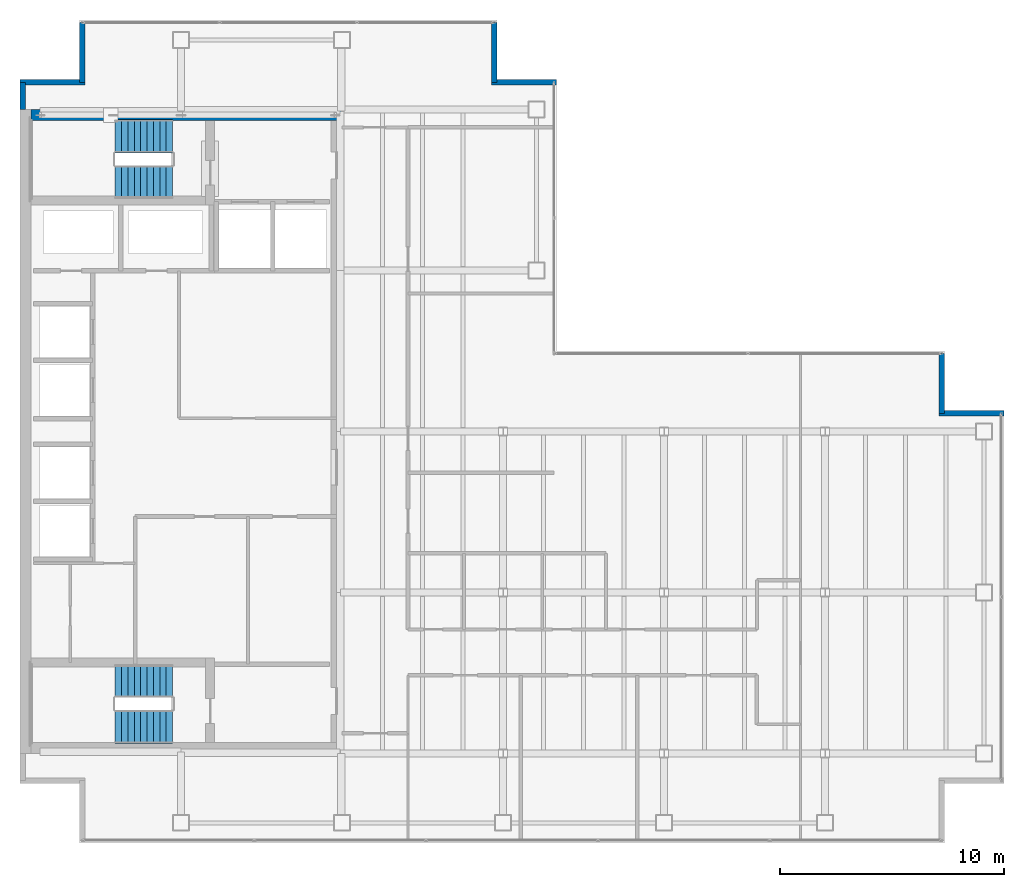
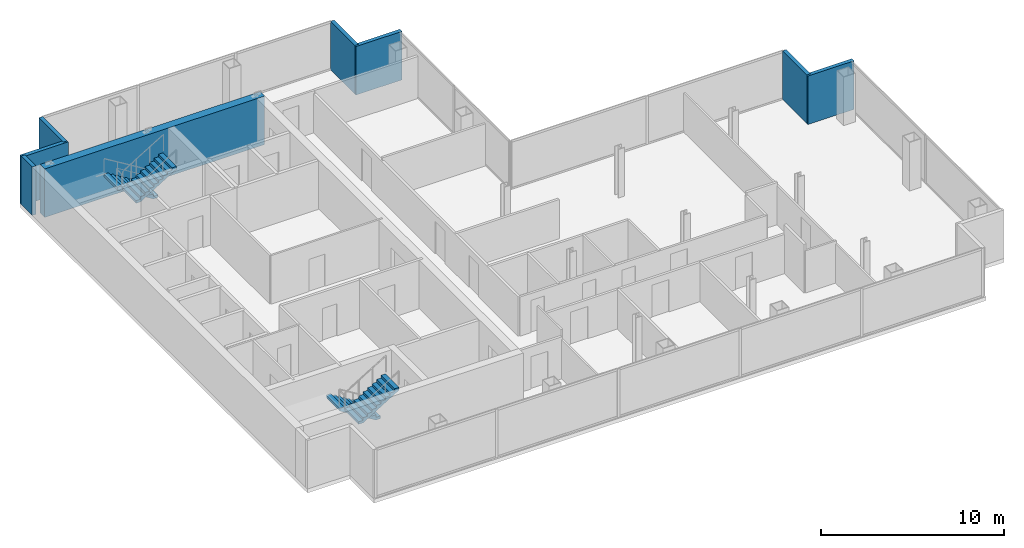
# One storey, part 22 of 23: 8 walls, 4 stair flights, 2 elements without a shape of their own.
"""IFC4 building model written with IfcOpenShell, lengths in metres."""

from ifc_helpers import new_model, si_unit, direction, frame, frame_2d, origin, place, context, subcontext, project, spatial, polyline, rectangle, outline, extrude, material, layer, layer_set, type_object, element, aggregate, save


model = new_model("IFC4")

# Units and contexts
model_context = context("Model", 3, precision=1e-05, world=origin(), true_north=direction((0.0, 1.0)))
body_context = subcontext(model_context, "Body", "Model", "MODEL_VIEW")
ifc_project = project(units=[si_unit("LENGTHUNIT", "METRE"), si_unit("AREAUNIT", "SQUARE_METRE"), si_unit("VOLUMEUNIT", "CUBIC_METRE"), si_unit("PLANEANGLEUNIT", "RADIAN"), si_unit("MASSUNIT", "GRAM", prefix="KILO")], contexts=[model_context])

# Site, building, storey
site_placement = place(None, origin())
site = spatial("IfcSite", under=ifc_project, at=site_placement, CompositionType="ELEMENT")
building_placement = place(site_placement, origin())
building = spatial("IfcBuilding", under=site, at=building_placement, Name="Cobrela Telecom Tower", CompositionType="ELEMENT")
storey_placement = place(building_placement, frame((0.0, 0.0, 222.25)))
storey = spatial("IfcBuildingStorey", under=building, at=storey_placement, Name="L57", CompositionType="ELEMENT", Elevation=222.25)

# Walls
ifc_material = material(Name="Concrete C40/50", Category="concrete")
ifc_layer_1 = layer(ifc_material, 0.5)
ifc_layer_set_1 = layer_set([ifc_layer_1], Name="Concrete C40/50")
wall_type_1 = type_object("IfcWallType", Name="WALL-CORE-C40-500", PredefinedType="SHEAR", material=ifc_layer_set_1)
wall_1_placement = place(storey_placement, frame((0.5, 35.75, 0.0), z_axis=(0.0, 0.0, 1.0), x_axis=(1.0, 0.0, 0.0)))
element("IfcWall", 1, at=wall_1_placement, inside=storey, type_object=wall_type_1, Name="L57 North Core Shear Wall", PredefinedType="SHEAR", context=body_context, shape_type="SweptSolid", body=[
    extrude(rectangle(XDim=13.89990234375, YDim=0.5, at=frame_2d((6.949951171875, 0.0))), origin(), (0.0, 0.0, 1.0), 3.239990234375),
])
ifc_layer_2 = layer(ifc_material, 0.239990234375)
ifc_layer_set_2 = layer_set([ifc_layer_2], Name="Concrete C40/50")
wall_type_2 = type_object("IfcWallType", Name="WALL-EXT-300", PredefinedType="STANDARD", material=ifc_layer_set_2)
wall_2_placement = place(storey_placement, frame((0.1201171875, 36.0, 0.0), z_axis=(0.0, 0.0, 1.0), x_axis=(0.0, 1.0, 0.0)))
element("IfcWall", 2, at=wall_2_placement, inside=storey, type_object=wall_type_2, Name="L57 Insulated Facade Wall 04", PredefinedType="STANDARD", context=body_context, shape_type="SweptSolid", body=[
    extrude(rectangle(XDim=1.2099609375, YDim=0.239990234375, at=frame_2d((0.60498046875, 0.0))), origin(), (0.0, 0.0, 1.0), 3.239990234375),
])
wall_3_placement = place(storey_placement, frame((0.0, 37.2099609375, 0.0), z_axis=(0.0, 0.0, 1.0), x_axis=(1.0, 0.0, 0.0)))
element("IfcWall", 3, at=wall_3_placement, inside=storey, type_object=wall_type_2, Name="L57 Insulated Facade Wall 05", PredefinedType="STANDARD", context=body_context, shape_type="SweptSolid", body=[
    extrude(rectangle(XDim=2.909912109375, YDim=0.239990234375, at=frame_2d((1.455078125, 0.0))), origin(), (0.0, 0.0, 1.0), 3.239990234375),
])
for number, where, z_axis, x_axis, name in (
    (4, (2.7900390625, 37.2099609375, 0.0), (0.0, 0.0, 1.0), (0.0, 1.0, 0.0), "L57 Insulated Facade Wall 06"),
    (5, (21.2099609375, 39.8798828125, 0.0), (0.0, 0.0, 1.0), (0.0, -1.0, 0.0), "L57 Insulated Facade Wall 08"),
):
    element("IfcWall", number, at=place(storey_placement, frame(where, z_axis=z_axis, x_axis=x_axis)), inside=storey, type_object=wall_type_2, Name=name, PredefinedType="STANDARD", context=body_context, shape_type="SweptSolid", body=[
        extrude(rectangle(XDim=2.669921875, YDim=0.239990234375, at=frame_2d((1.3349609375, 0.0))), origin(), (0.0, 0.0, 1.0), 3.239990234375),
    ])
wall_4_placement = place(storey_placement, frame((21.090087890625, 37.2099609375, 0.0), z_axis=(0.0, 0.0, 1.0), x_axis=(1.0, 0.0, 0.0)))
element("IfcWall", 6, at=wall_4_placement, inside=storey, type_object=wall_type_2, Name="L57 Insulated Facade Wall 09", PredefinedType="STANDARD", context=body_context, shape_type="SweptSolid", body=[
    extrude(rectangle(XDim=2.909912109375, YDim=0.239990234375, at=frame_2d((1.455078125, 0.0))), origin(), (0.0, 0.0, 1.0), 3.239990234375),
])
wall_5_placement = place(storey_placement, frame((41.2099609375, 25.080078125, 0.0), z_axis=(0.0, 0.0, 1.0), x_axis=(0.0, -1.0, 0.0)))
element("IfcWall", 7, at=wall_5_placement, inside=storey, type_object=wall_type_2, Name="L57 Insulated Facade Wall 12", PredefinedType="STANDARD", context=body_context, shape_type="SweptSolid", body=[
    extrude(rectangle(XDim=2.670166015625, YDim=0.239990234375, at=frame_2d((1.3349609375, 0.0))), origin(), (0.0, 0.0, 1.0), 3.239990234375),
])
wall_6_placement = place(storey_placement, frame((41.090087890625, 22.409912109375, 0.0), z_axis=(0.0, 0.0, 1.0), x_axis=(1.0, 0.0, 0.0)))
element("IfcWall", 8, at=wall_6_placement, inside=storey, type_object=wall_type_2, Name="L57 Insulated Facade Wall 13", PredefinedType="STANDARD", context=body_context, shape_type="SweptSolid", body=[
    extrude(rectangle(XDim=2.909912109375, YDim=0.239990234375, at=frame_2d((1.455078125, 0.0))), origin(), (0.0, 0.0, 1.0), 3.239990234375),
])

# Stair, stair flights
stair_type = type_object("IfcStairType", Name="STAIR-CORE", PredefinedType="HALF_TURN_STAIR", material=ifc_material)
stair_1_placement = place(storey_placement, origin())
stair_1 = element("IfcStair", 9, at=stair_1_placement, inside=storey, type_object=stair_type, Name="L57 Smokeproof Exit Stair ST1", PredefinedType="HALF_TURN_STAIR")
stair_flight_type = type_object("IfcStairFlightType", Name="FLIGHT-CORE", PredefinedType="STRAIGHT", material=ifc_material)
stair_flight_1_placement = place(storey_placement, frame((6.820068359375, 34.800048828125, 0.0), z_axis=(0.0, 0.0, 1.0), x_axis=(-1.0, 0.0, 0.0)))
stair_flight_1 = element("IfcStairFlight", 10, at=stair_flight_1_placement, type_object=stair_flight_type, Name="ST1 flight 1", NumberOfRisers=10, NumberOfTreads=9, PredefinedType="STRAIGHT", RiserHeight=0.175, TreadLength=0.285, context=body_context, shape_type="SweptSolid", body=[
    extrude(outline(polyline([(0.0, 0.0), (0.0, 0.175048828125), (0.284912109375, 0.175048828125), (0.284912109375, 0.35009765625), (0.570068359375, 0.35009765625), (0.570068359375, 0.52490234375), (0.85498046875, 0.52490234375), (0.85498046875, 0.699951171875), (1.139892578125, 0.699951171875), (1.139892578125, 0.875), (1.425048828125, 0.875), (1.425048828125, 1.050048828125), (1.7099609375, 1.050048828125), (1.7099609375, 1.22509765625), (1.9951171875, 1.22509765625), (1.9951171875, 1.39990234375), (2.280029296875, 1.39990234375), (2.280029296875, 1.574951171875), (2.56494140625, 1.574951171875), (2.56494140625, 1.75), (2.56494140625, 1.399169921875), (0.286376953125, 0.0), (0.0, 0.0)])), frame((0.0, 0.75, 0.0), z_axis=(0.0, -1.0, 0.0), x_axis=(1.0, 0.0, 0.0)), (0.0, 0.0, 1.0), 1.5),
])
stair_flight_2_placement = place(storey_placement, frame((4.2548828125, 32.75, 1.75), z_axis=(0.0, 0.0, 1.0), x_axis=(1.0, 0.0, 0.0)))
stair_flight_2 = element("IfcStairFlight", 11, at=stair_flight_2_placement, type_object=stair_flight_type, Name="ST1 flight 2", NumberOfRisers=10, NumberOfTreads=9, PredefinedType="STRAIGHT", RiserHeight=0.175, TreadLength=0.285, context=body_context, shape_type="SweptSolid", body=[
    extrude(outline(polyline([(0.0, 0.0), (0.0, 0.175048828125), (0.284912109375, 0.175048828125), (0.284912109375, 0.35009765625), (0.570068359375, 0.35009765625), (0.570068359375, 0.52490234375), (0.85498046875, 0.52490234375), (0.85498046875, 0.699951171875), (1.139892578125, 0.699951171875), (1.139892578125, 0.875), (1.425048828125, 0.875), (1.425048828125, 1.050048828125), (1.7099609375, 1.050048828125), (1.7099609375, 1.22509765625), (1.9951171875, 1.22509765625), (1.9951171875, 1.39990234375), (2.280029296875, 1.39990234375), (2.280029296875, 1.574951171875), (2.56494140625, 1.574951171875), (2.56494140625, 1.75), (2.56494140625, 1.399169921875), (0.286376953125, 0.0), (0.0, 0.0)])), frame((0.0, 0.75, 0.0), z_axis=(0.0, -1.0, 0.0), x_axis=(1.0, 0.0, 0.0)), (0.0, 0.0, 1.0), 1.5),
])
aggregate(stair_1, [stair_flight_1, stair_flight_2])

stair_2_placement = place(storey_placement, origin())
stair_2 = element("IfcStair", 12, at=stair_2_placement, inside=storey, type_object=stair_type, Name="L57 Smokeproof Exit Stair ST2", PredefinedType="HALF_TURN_STAIR")
stair_flight_3_placement = place(storey_placement, frame((6.820068359375, 10.449951171875, 0.0), z_axis=(0.0, 0.0, 1.0), x_axis=(-1.0, 0.0, 0.0)))
stair_flight_3 = element("IfcStairFlight", 13, at=stair_flight_3_placement, type_object=stair_flight_type, Name="ST2 flight 1", NumberOfRisers=10, NumberOfTreads=9, PredefinedType="STRAIGHT", RiserHeight=0.175, TreadLength=0.285, context=body_context, shape_type="SweptSolid", body=[
    extrude(outline(polyline([(0.0, 0.0), (0.0, 0.175048828125), (0.284912109375, 0.175048828125), (0.284912109375, 0.35009765625), (0.570068359375, 0.35009765625), (0.570068359375, 0.52490234375), (0.85498046875, 0.52490234375), (0.85498046875, 0.699951171875), (1.139892578125, 0.699951171875), (1.139892578125, 0.875), (1.425048828125, 0.875), (1.425048828125, 1.050048828125), (1.7099609375, 1.050048828125), (1.7099609375, 1.22509765625), (1.9951171875, 1.22509765625), (1.9951171875, 1.39990234375), (2.280029296875, 1.39990234375), (2.280029296875, 1.574951171875), (2.56494140625, 1.574951171875), (2.56494140625, 1.75), (2.56494140625, 1.399169921875), (0.286376953125, 0.0), (0.0, 0.0)])), frame((0.0, 0.75, 0.0), z_axis=(0.0, -1.0, 0.0), x_axis=(1.0, 0.0, 0.0)), (0.0, 0.0, 1.0), 1.5),
])
stair_flight_4_placement = place(storey_placement, frame((4.2548828125, 8.39990234375, 1.75), z_axis=(0.0, 0.0, 1.0), x_axis=(1.0, 0.0, 0.0)))
stair_flight_4 = element("IfcStairFlight", 14, at=stair_flight_4_placement, type_object=stair_flight_type, Name="ST2 flight 2", NumberOfRisers=10, NumberOfTreads=9, PredefinedType="STRAIGHT", RiserHeight=0.175, TreadLength=0.285, context=body_context, shape_type="SweptSolid", body=[
    extrude(outline(polyline([(0.0, 0.0), (0.0, 0.175048828125), (0.284912109375, 0.175048828125), (0.284912109375, 0.35009765625), (0.570068359375, 0.35009765625), (0.570068359375, 0.52490234375), (0.85498046875, 0.52490234375), (0.85498046875, 0.699951171875), (1.139892578125, 0.699951171875), (1.139892578125, 0.875), (1.425048828125, 0.875), (1.425048828125, 1.050048828125), (1.7099609375, 1.050048828125), (1.7099609375, 1.22509765625), (1.9951171875, 1.22509765625), (1.9951171875, 1.39990234375), (2.280029296875, 1.39990234375), (2.280029296875, 1.574951171875), (2.56494140625, 1.574951171875), (2.56494140625, 1.75), (2.56494140625, 1.399169921875), (0.286376953125, 0.0), (0.0, 0.0)])), frame((0.0, 0.75, 0.0), z_axis=(0.0, -1.0, 0.0), x_axis=(1.0, 0.0, 0.0)), (0.0, 0.0, 1.0), 1.5),
])
aggregate(stair_2, [stair_flight_3, stair_flight_4])

save(model, "model.ifc")
